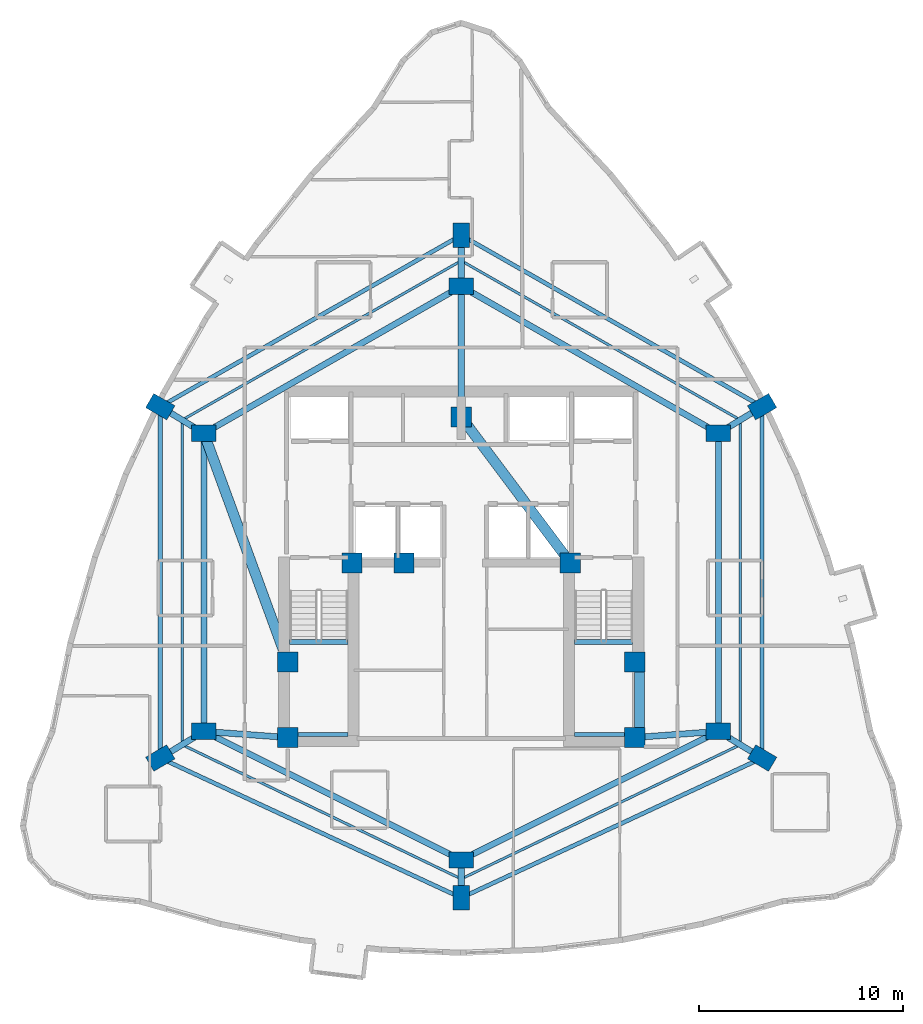
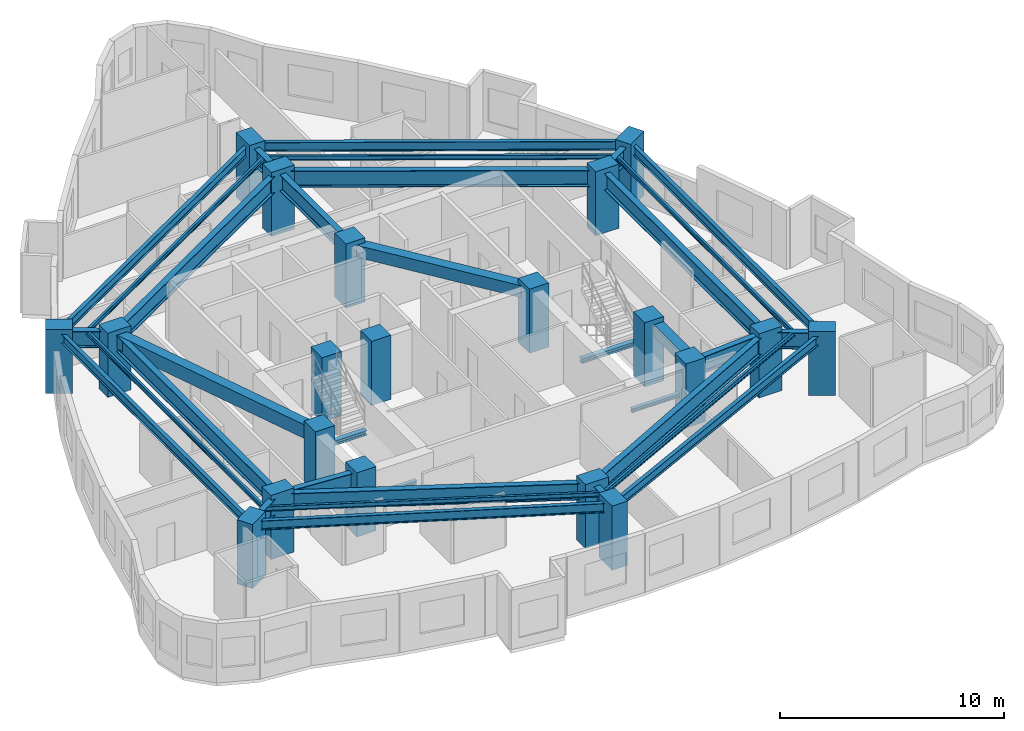
# One storey, part 1 of 11: 34 beams, 20 columns.
"""IFC4 building model written with IfcOpenShell, lengths in metres."""

from ifc_helpers import new_model, si_unit, direction, frame, origin, origin_2d, place, context, subcontext, project, spatial, rectangle, i_section, extrude, material, material_profile, profile_set, type_object, element, save


model = new_model("IFC4")

# Units and contexts
model_context = context("Model", 3, precision=1e-05, world=origin(), true_north=direction((0.0, 1.0)))
body_context = subcontext(model_context, "Body", "Model", "MODEL_VIEW")
ifc_project = project(units=[si_unit("LENGTHUNIT", "METRE"), si_unit("AREAUNIT", "SQUARE_METRE"), si_unit("VOLUMEUNIT", "CUBIC_METRE"), si_unit("PLANEANGLEUNIT", "RADIAN"), si_unit("MASSUNIT", "GRAM", prefix="KILO")], contexts=[model_context])

# Site, building, storey
site_placement = place(None, origin())
site = spatial("IfcSite", under=ifc_project, at=site_placement, CompositionType="ELEMENT")
building_placement = place(site_placement, origin())
building = spatial("IfcBuilding", under=site, at=building_placement, Name="Miruveldt Soraemaru", CompositionType="ELEMENT")
storey_placement = place(building_placement, frame((0.0, 0.0, 149.39990234375)))
storey = spatial("IfcBuildingStorey", under=building, at=storey_placement, Name="L41", CompositionType="ELEMENT", Elevation=149.39990234375)

# Columns
ifc_material_1 = material(Name="Concrete C60/75 (60 MPa)", Category="concrete")
ifc_material_profile_1 = material_profile(ifc_material_1, rectangle(XDim=1.0, YDim=1.0, at=origin_2d()), Name="Concrete C60/75 (60 MPa)", Category="concrete")
ifc_profile_set_1 = profile_set([ifc_material_profile_1], Name="Concrete C60/75 (60 MPa)")
column_type_1 = type_object("IfcColumnType", Name="COL-CORE-1000", PredefinedType="COLUMN", material=ifc_profile_set_1)
for number, where, z_axis, x_axis, name in (
    (1, (35.5, 35.5, 0.0), (0.0, 0.0, 1.0), (1.0, 0.0, 0.0), "L41 Structural Column CC1"),
    (2, (38.64990234375, 44.050048828125, 0.0), (0.0, 0.0, 1.0), (1.0, 0.0, 0.0), "L41 Structural Column CC2"),
    (3, (52.5, 35.5, 0.0), (0.0, 0.0, 1.0), (1.0, 0.0, 0.0), "L41 Structural Column CC3"),
    (4, (52.5, 39.199951171875, 0.0), (0.0, 0.0, 1.0), (1.0, 0.0, 0.0), "L41 Structural Column CC4"),
    (5, (49.35009765625, 44.050048828125, 0.0), (0.0, 0.0, 1.0), (1.0, 0.0, 0.0), "L41 Structural Column CC5"),
    (6, (44.0, 51.199951171875, 0.0), (0.0, 0.0, 1.0), (1.0, 0.0, 0.0), "L41 Structural Column CC6"),
    (7, (35.5, 39.199951171875, 0.0), (0.0, 0.0, 1.0), (1.0, 0.0, 0.0), "L41 Structural Column CC7"),
    (8, (41.199951171875, 44.050048828125, 0.0), (0.0, 0.0, 1.0), (1.0, 0.0, 0.0), "L41 Structural Column CC8"),
):
    element("IfcColumn", number, at=place(storey_placement, frame(where, z_axis=z_axis, x_axis=x_axis)), inside=storey, type_object=column_type_1, Name=name, PredefinedType="COLUMN", context=body_context, shape_type="SweptSolid", body=[
        extrude(rectangle(XDim=1.0, YDim=1.0, at=origin_2d()), origin(), (0.0, 0.0, 1.0), 3.5),
    ])
ifc_material_2 = material(Name="Concrete C70/85 (70 MPa)", Category="concrete")
ifc_material_profile_2 = material_profile(ifc_material_2, rectangle(XDim=1.199951171875, YDim=0.800048828125, at=origin_2d()), Name="Concrete C70/85 (70 MPa)", Category="concrete")
ifc_profile_set_2 = profile_set([ifc_material_profile_2], Name="Concrete C70/85 (70 MPa)")
column_type_2 = type_object("IfcColumnType", Name="COL-TW-Z2", PredefinedType="COLUMN", material=ifc_profile_set_2)
for number, where, z_axis, x_axis, name in (
    (9, (44.0, 57.60009765625, 0.0), (0.0, 0.0, 1.0), (1.0, 0.0, 0.0), "L41 Structural Column IR01"),
    (10, (56.60009765625, 50.39990234375, 0.0), (0.0, 0.0, 1.0), (1.0, 0.0, 0.0), "L41 Structural Column IR02"),
    (11, (56.60009765625, 35.800048828125, 0.0), (0.0, 0.0, 1.0), (1.0, 0.0, 0.0), "L41 Structural Column IR03"),
    (12, (44.0, 29.5, 0.0), (0.0, 0.0, 1.0), (1.0, 0.0, 0.0), "L41 Structural Column IR04"),
    (13, (31.39990234375, 35.800048828125, 0.0), (0.0, 0.0, 1.0), (1.0, 0.0, 0.0), "L41 Structural Column IR05"),
    (14, (31.39990234375, 50.39990234375, 0.0), (0.0, 0.0, 1.0), (1.0, 0.0, 0.0), "L41 Structural Column IR06"),
    (15, (44.0, 60.10595703125, 0.0), (0.0, 0.0, 1.0), (0.0, 1.0, 0.0), "L41 Structural Column Z2P01"),
    (16, (58.739990234375, 51.705078125, 0.0), (0.0, 0.0, 1.0), (0.866025403784, 0.5, 0.0), "L41 Structural Column Z2P02"),
    (17, (58.739990234375, 34.4951171875, 0.0), (0.0, 0.0, 1.0), (-0.860742027004, 0.50904141575, 0.0), "L41 Structural Column Z2P03"),
    (18, (44.0, 27.64697265625, 0.0), (0.0, 0.0, 1.0), (0.0, 1.0, 0.0), "L41 Structural Column Z2P04"),
    (19, (29.260009765625, 34.4951171875, 0.0), (0.0, 0.0, 1.0), (0.860742027004, 0.50904141575, 0.0), "L41 Structural Column Z2P05"),
    (20, (29.260009765625, 51.705078125, 0.0), (0.0, 0.0, 1.0), (-0.866025403784, 0.5, 0.0), "L41 Structural Column Z2P06"),
):
    element("IfcColumn", number, at=place(storey_placement, frame(where, z_axis=z_axis, x_axis=x_axis)), inside=storey, type_object=column_type_2, Name=name, PredefinedType="COLUMN", context=body_context, shape_type="SweptSolid", body=[
        extrude(rectangle(XDim=1.199951171875, YDim=0.800048828125, at=origin_2d()), origin(), (0.0, 0.0, 1.0), 3.5),
    ])

# Beams
ifc_material_3 = material(Name="Concrete C50/60 (50 MPa)", Category="concrete")
ifc_material_profile_3 = material_profile(ifc_material_3, rectangle(XDim=0.5, YDim=0.64990234375, at=origin_2d()), Name="Concrete C50/60 (50 MPa)", Category="concrete")
ifc_profile_set_3 = profile_set([ifc_material_profile_3], Name="Concrete C50/60 (50 MPa)")
beam_type_1 = type_object("IfcBeamType", Name="BM-RC-500x650", PredefinedType="BEAM", material=ifc_profile_set_3)
beam_1_placement = place(storey_placement, frame((52.72998046875, 35.5, 2.91015625), z_axis=(0.0, 1.0, 0.0), x_axis=(-1.0, 0.0, 0.0)))
element("IfcBeam", 21, at=beam_1_placement, inside=storey, type_object=beam_type_1, Name="L41 Core Tie Beam 3", PredefinedType="BEAM", context=body_context, shape_type="SweptSolid", body=[
    extrude(rectangle(XDim=0.5, YDim=0.64990234375, at=origin_2d()), origin(), (0.0, 0.0, 1.0), 3.699951171875),
])
beam_2_placement = place(storey_placement, frame((49.35009765625, 44.050048828125, 2.91015625), z_axis=(-0.599116023999, 0.800662219533, 0.0), x_axis=(-0.800662219533, -0.599116023999, 0.0)))
element("IfcBeam", 22, at=beam_2_placement, inside=storey, type_object=beam_type_1, Name="L41 Core Tie Beam 5", PredefinedType="BEAM", context=body_context, shape_type="SweptSolid", body=[
    extrude(rectangle(XDim=0.5, YDim=0.64990234375, at=origin_2d()), origin(), (0.0, 0.0, 1.0), 8.929931640625),
])
ifc_material_4 = material(Name="Concrete C40/50 (40 MPa)", Category="concrete")
ifc_material_profile_4 = material_profile(ifc_material_4, rectangle(XDim=0.5, YDim=0.75, at=origin_2d()), Name="Concrete C40/50 (40 MPa)", Category="concrete")
ifc_profile_set_4 = profile_set([ifc_material_profile_4], Name="Concrete C40/50 (40 MPa)")
beam_type_2 = type_object("IfcBeamType", Name="BM-RC-500x750", PredefinedType="LINTEL", material=ifc_profile_set_4)
beam_3_placement = place(storey_placement, frame((31.39990234375, 50.39990234375, 2.860107421875), z_axis=(0.343770424598, -0.939053723262, 0.0), x_axis=(0.939053723262, 0.343770424598, 0.0)))
element("IfcBeam", 23, at=beam_3_placement, inside=storey, type_object=beam_type_2, Name="L41 West Lobby Lintel", PredefinedType="LINTEL", context=body_context, shape_type="SweptSolid", body=[
    extrude(rectangle(XDim=0.5, YDim=0.75, at=origin_2d()), origin(), (0.0, 0.0, 1.0), 11.9267578125),
])
ifc_material_5 = material(Name="Steel SM355 (355 MPa)", Category="steel")
ifc_material_profile_5 = material_profile(ifc_material_5, i_section(OverallWidth=0.125, OverallDepth=0.25, WebThickness=0.006103515625, FlangeThickness=0.009033203125, FilletRadius=0.011962890625, at=origin_2d()), Name="Steel SM355 (355 MPa)", Category="steel")
ifc_profile_set_5 = profile_set([ifc_material_profile_5], Name="Steel SM355 (355 MPa)")
beam_type_3 = type_object("IfcBeamType", Name="BM-ST-H250", PredefinedType="JOIST", material=ifc_profile_set_5)
beam_4_placement = place(storey_placement, frame((44.0, 58.85302734375, 3.110107421875), z_axis=(0.868539859756, -0.495619321672, 0.0), x_axis=(0.495619321672, 0.868539859756, 0.0)))
element("IfcBeam", 24, at=beam_4_placement, inside=storey, type_object=beam_type_3, Name="L41 Outer Bay Floor Joist 1", PredefinedType="JOIST", context=body_context, shape_type="SweptSolid", body=[
    extrude(i_section(OverallWidth=0.125, OverallDepth=0.25, WebThickness=0.006103515625, FlangeThickness=0.009033203125, FilletRadius=0.011962890625, at=origin_2d()), origin(), (0.0, 0.0, 1.0), 15.739013671875),
])
beam_5_placement = place(storey_placement, frame((57.669921875, 51.052490234375, 3.110107421875), z_axis=(0.0, -1.0, 0.0), x_axis=(1.0, 0.0, 0.0)))
element("IfcBeam", 25, at=beam_5_placement, inside=storey, type_object=beam_type_3, Name="L41 Outer Bay Floor Joist 2", PredefinedType="JOIST", context=body_context, shape_type="SweptSolid", body=[
    extrude(i_section(OverallWidth=0.125, OverallDepth=0.25, WebThickness=0.006103515625, FlangeThickness=0.009033203125, FilletRadius=0.011962890625, at=origin_2d()), origin(), (0.0, 0.0, 1.0), 15.905029296875),
])
for number, where, z_axis, x_axis, name in (
    (26, (57.669921875, 35.1474609375, 3.110107421875), (-0.901203586802, -0.433396002676, 0.0), (0.433396002676, -0.901203586802, 0.0), "L41 Outer Bay Floor Joist 3"),
    (27, (44.0, 28.573486328125, 3.110107421875), (-0.901203586802, 0.433396002676, 0.0), (-0.433396002676, -0.901203586802, 0.0), "L41 Outer Bay Floor Joist 4"),
):
    element("IfcBeam", number, at=place(storey_placement, frame(where, z_axis=z_axis, x_axis=x_axis)), inside=storey, type_object=beam_type_3, Name=name, PredefinedType="JOIST", context=body_context, shape_type="SweptSolid", body=[
        extrude(i_section(OverallWidth=0.125, OverallDepth=0.25, WebThickness=0.006103515625, FlangeThickness=0.009033203125, FilletRadius=0.011962890625, at=origin_2d()), origin(), (0.0, 0.0, 1.0), 15.16845703125),
    ])
beam_6_placement = place(storey_placement, frame((30.330078125, 35.1474609375, 3.110107421875), z_axis=(0.0, 1.0, 0.0), x_axis=(-1.0, 0.0, 0.0)))
element("IfcBeam", 28, at=beam_6_placement, inside=storey, type_object=beam_type_3, Name="L41 Outer Bay Floor Joist 5", PredefinedType="JOIST", context=body_context, shape_type="SweptSolid", body=[
    extrude(i_section(OverallWidth=0.125, OverallDepth=0.25, WebThickness=0.006103515625, FlangeThickness=0.009033203125, FilletRadius=0.011962890625, at=origin_2d()), origin(), (0.0, 0.0, 1.0), 15.905029296875),
])
beam_7_placement = place(storey_placement, frame((30.330078125, 51.052490234375, 3.110107421875), z_axis=(0.868539859756, 0.495619321672, 0.0), x_axis=(-0.495619321672, 0.868539859756, 0.0)))
element("IfcBeam", 29, at=beam_7_placement, inside=storey, type_object=beam_type_3, Name="L41 Outer Bay Floor Joist 6", PredefinedType="JOIST", context=body_context, shape_type="SweptSolid", body=[
    extrude(i_section(OverallWidth=0.125, OverallDepth=0.25, WebThickness=0.006103515625, FlangeThickness=0.009033203125, FilletRadius=0.011962890625, at=origin_2d()), origin(), (0.0, 0.0, 1.0), 15.739013671875),
])
ifc_material_profile_6 = material_profile(ifc_material_5, i_section(OverallWidth=0.199951171875, OverallDepth=0.5, WebThickness=0.010009765625, FlangeThickness=0.01611328125, FilletRadius=0.02001953125, at=origin_2d()), Name="Steel SM355 (355 MPa)", Category="steel")
ifc_profile_set_6 = profile_set([ifc_material_profile_6], Name="Steel SM355 (355 MPa)")
beam_type_4 = type_object("IfcBeamType", Name="BM-ST-H500", PredefinedType="SPANDREL", material=ifc_profile_set_6)
beam_8_placement = place(storey_placement, frame((44.0, 60.10595703125, 2.985107421875), z_axis=(0.86880048516, -0.495162313778, 0.0), x_axis=(0.495162313778, 0.86880048516, 0.0)))
element("IfcBeam", 30, at=beam_8_placement, inside=storey, type_object=beam_type_4, Name="L41 Zone-2 Spandrel Beam 1", PredefinedType="SPANDREL", context=body_context, shape_type="SweptSolid", body=[
    extrude(i_section(OverallWidth=0.199951171875, OverallDepth=0.5, WebThickness=0.010009765625, FlangeThickness=0.01611328125, FilletRadius=0.02001953125, at=origin_2d()), origin(), (0.0, 0.0, 1.0), 16.9658203125),
])
beam_9_placement = place(storey_placement, frame((58.739990234375, 51.705078125, 2.985107421875), z_axis=(0.0, -1.0, 0.0), x_axis=(1.0, 0.0, 0.0)))
element("IfcBeam", 31, at=beam_9_placement, inside=storey, type_object=beam_type_4, Name="L41 Zone-2 Spandrel Beam 2", PredefinedType="SPANDREL", context=body_context, shape_type="SweptSolid", body=[
    extrude(i_section(OverallWidth=0.199951171875, OverallDepth=0.5, WebThickness=0.010009765625, FlangeThickness=0.01611328125, FilletRadius=0.02001953125, at=origin_2d()), origin(), (0.0, 0.0, 1.0), 17.2099609375),
])
for number, where, z_axis, x_axis, name in (
    (32, (58.739990234375, 34.4951171875, 2.985107421875), (-0.906901362829, -0.421342993414, 0.0), (0.421342993414, -0.906901362829, 0.0), "L41 Zone-2 Spandrel Beam 3"),
    (33, (44.0, 27.64697265625, 2.985107421875), (-0.906901362829, 0.421342993414, 0.0), (-0.421342993414, -0.906901362829, 0.0), "L41 Zone-2 Spandrel Beam 4"),
):
    element("IfcBeam", number, at=place(storey_placement, frame(where, z_axis=z_axis, x_axis=x_axis)), inside=storey, type_object=beam_type_4, Name=name, PredefinedType="SPANDREL", context=body_context, shape_type="SweptSolid", body=[
        extrude(i_section(OverallWidth=0.199951171875, OverallDepth=0.5, WebThickness=0.010009765625, FlangeThickness=0.01611328125, FilletRadius=0.02001953125, at=origin_2d()), origin(), (0.0, 0.0, 1.0), 16.253173828125),
    ])
beam_10_placement = place(storey_placement, frame((29.260009765625, 34.4951171875, 2.985107421875), z_axis=(0.0, 1.0, 0.0), x_axis=(-1.0, 0.0, 0.0)))
element("IfcBeam", 34, at=beam_10_placement, inside=storey, type_object=beam_type_4, Name="L41 Zone-2 Spandrel Beam 5", PredefinedType="SPANDREL", context=body_context, shape_type="SweptSolid", body=[
    extrude(i_section(OverallWidth=0.199951171875, OverallDepth=0.5, WebThickness=0.010009765625, FlangeThickness=0.01611328125, FilletRadius=0.02001953125, at=origin_2d()), origin(), (0.0, 0.0, 1.0), 17.2099609375),
])
beam_11_placement = place(storey_placement, frame((29.260009765625, 51.705078125, 2.985107421875), z_axis=(0.86880048516, 0.495162313778, 0.0), x_axis=(-0.495162313778, 0.86880048516, 0.0)))
element("IfcBeam", 35, at=beam_11_placement, inside=storey, type_object=beam_type_4, Name="L41 Zone-2 Spandrel Beam 6", PredefinedType="SPANDREL", context=body_context, shape_type="SweptSolid", body=[
    extrude(i_section(OverallWidth=0.199951171875, OverallDepth=0.5, WebThickness=0.010009765625, FlangeThickness=0.01611328125, FilletRadius=0.02001953125, at=origin_2d()), origin(), (0.0, 0.0, 1.0), 16.9658203125),
])
ifc_material_6 = material(Name="Steel S460 (460 MPa)", Category="steel")
ifc_material_profile_7 = material_profile(ifc_material_6, i_section(OverallWidth=0.300048828125, OverallDepth=0.89990234375, WebThickness=0.01611328125, FlangeThickness=0.028076171875, FilletRadius=0.028076171875, at=origin_2d()), Name="Steel S460 (460 MPa)", Category="steel")
ifc_profile_set_7 = profile_set([ifc_material_profile_7], Name="Steel S460 (460 MPa)")
beam_type_5 = type_object("IfcBeamType", Name="BM-ST-H900", PredefinedType="BEAM", material=ifc_profile_set_7)
beam_12_placement = place(storey_placement, frame((44.0, 57.60009765625, 2.78515625), z_axis=(0.868239001029, -0.496146185203, 0.0), x_axis=(0.496146185203, 0.868239001029, 0.0)))
element("IfcBeam", 36, at=beam_12_placement, inside=storey, type_object=beam_type_5, Name="L41 Inner Ring Girder 1", PredefinedType="BEAM", context=body_context, shape_type="SweptSolid", body=[
    extrude(i_section(OverallWidth=0.300048828125, OverallDepth=0.89990234375, WebThickness=0.01611328125, FlangeThickness=0.028076171875, FilletRadius=0.028076171875, at=origin_2d()), origin(), (0.0, 0.0, 1.0), 14.51220703125),
])
beam_13_placement = place(storey_placement, frame((44.0, 51.199951171875, 2.78515625), z_axis=(0.0, 1.0, 0.0), x_axis=(-1.0, 0.0, 0.0)))
element("IfcBeam", 37, at=beam_13_placement, inside=storey, type_object=beam_type_5, Name="L41 Core-to-Inner Radial Girder 1", PredefinedType="BEAM", context=body_context, shape_type="SweptSolid", body=[
    extrude(i_section(OverallWidth=0.300048828125, OverallDepth=0.89990234375, WebThickness=0.01611328125, FlangeThickness=0.028076171875, FilletRadius=0.028076171875, at=origin_2d()), origin(), (0.0, 0.0, 1.0), 6.400146484375),
])
beam_14_placement = place(storey_placement, frame((56.60009765625, 50.39990234375, 2.78515625), z_axis=(0.0, -1.0, 0.0), x_axis=(1.0, 0.0, 0.0)))
element("IfcBeam", 38, at=beam_14_placement, inside=storey, type_object=beam_type_5, Name="L41 Inner Ring Girder 2", PredefinedType="BEAM", context=body_context, shape_type="SweptSolid", body=[
    extrude(i_section(OverallWidth=0.300048828125, OverallDepth=0.89990234375, WebThickness=0.01611328125, FlangeThickness=0.028076171875, FilletRadius=0.028076171875, at=origin_2d()), origin(), (0.0, 0.0, 1.0), 14.599853515625),
])
beam_15_placement = place(storey_placement, frame((56.60009765625, 35.800048828125, 2.78515625), z_axis=(-0.894427191, -0.4472135955, 0.0), x_axis=(0.4472135955, -0.894427191, 0.0)))
element("IfcBeam", 39, at=beam_15_placement, inside=storey, type_object=beam_type_5, Name="L41 Inner Ring Girder 3", PredefinedType="BEAM", context=body_context, shape_type="SweptSolid", body=[
    extrude(i_section(OverallWidth=0.300048828125, OverallDepth=0.89990234375, WebThickness=0.01611328125, FlangeThickness=0.028076171875, FilletRadius=0.028076171875, at=origin_2d()), origin(), (0.0, 0.0, 1.0), 14.08740234375),
])
beam_16_placement = place(storey_placement, frame((52.5, 35.5, 2.78515625), z_axis=(0.997332985605, 0.072985723431, 0.0), x_axis=(-0.072985723431, 0.997332985605, 0.0)))
element("IfcBeam", 40, at=beam_16_placement, inside=storey, type_object=beam_type_5, Name="L41 Core-to-Inner Radial Girder 3", PredefinedType="BEAM", context=body_context, shape_type="SweptSolid", body=[
    extrude(i_section(OverallWidth=0.300048828125, OverallDepth=0.89990234375, WebThickness=0.01611328125, FlangeThickness=0.028076171875, FilletRadius=0.028076171875, at=origin_2d()), origin(), (0.0, 0.0, 1.0), 4.111083984375),
])
beam_17_placement = place(storey_placement, frame((44.0, 29.5, 2.78515625), z_axis=(-0.894427191, 0.4472135955, 0.0), x_axis=(-0.4472135955, -0.894427191, 0.0)))
element("IfcBeam", 41, at=beam_17_placement, inside=storey, type_object=beam_type_5, Name="L41 Inner Ring Girder 4", PredefinedType="BEAM", context=body_context, shape_type="SweptSolid", body=[
    extrude(i_section(OverallWidth=0.300048828125, OverallDepth=0.89990234375, WebThickness=0.01611328125, FlangeThickness=0.028076171875, FilletRadius=0.028076171875, at=origin_2d()), origin(), (0.0, 0.0, 1.0), 14.08740234375),
])
beam_18_placement = place(storey_placement, frame((31.39990234375, 35.800048828125, 2.78515625), z_axis=(0.0, 1.0, 0.0), x_axis=(-1.0, 0.0, 0.0)))
element("IfcBeam", 42, at=beam_18_placement, inside=storey, type_object=beam_type_5, Name="L41 Inner Ring Girder 5", PredefinedType="BEAM", context=body_context, shape_type="SweptSolid", body=[
    extrude(i_section(OverallWidth=0.300048828125, OverallDepth=0.89990234375, WebThickness=0.01611328125, FlangeThickness=0.028076171875, FilletRadius=0.028076171875, at=origin_2d()), origin(), (0.0, 0.0, 1.0), 14.599853515625),
])
beam_19_placement = place(storey_placement, frame((35.5, 35.5, 2.78515625), z_axis=(-0.997332985605, 0.072985723431, 0.0), x_axis=(-0.072985723431, -0.997332985605, 0.0)))
element("IfcBeam", 43, at=beam_19_placement, inside=storey, type_object=beam_type_5, Name="L41 Core-to-Inner Radial Girder 5", PredefinedType="BEAM", context=body_context, shape_type="SweptSolid", body=[
    extrude(i_section(OverallWidth=0.300048828125, OverallDepth=0.89990234375, WebThickness=0.01611328125, FlangeThickness=0.028076171875, FilletRadius=0.028076171875, at=origin_2d()), origin(), (0.0, 0.0, 1.0), 4.111083984375),
])
beam_20_placement = place(storey_placement, frame((31.39990234375, 50.39990234375, 2.78515625), z_axis=(0.868239001029, 0.496146185203, 0.0), x_axis=(-0.496146185203, 0.868239001029, 0.0)))
element("IfcBeam", 44, at=beam_20_placement, inside=storey, type_object=beam_type_5, Name="L41 Inner Ring Girder 6", PredefinedType="BEAM", context=body_context, shape_type="SweptSolid", body=[
    extrude(i_section(OverallWidth=0.300048828125, OverallDepth=0.89990234375, WebThickness=0.01611328125, FlangeThickness=0.028076171875, FilletRadius=0.028076171875, at=origin_2d()), origin(), (0.0, 0.0, 1.0), 14.51220703125),
])
beam_21_placement = place(storey_placement, frame((44.0, 57.60009765625, 2.78515625), z_axis=(0.0, 1.0, 0.0), x_axis=(-1.0, 0.0, 0.0)))
element("IfcBeam", 45, at=beam_21_placement, inside=storey, type_object=beam_type_5, Name="L41 Zone-2 Radial Girder 1", PredefinedType="BEAM", context=body_context, shape_type="SweptSolid", body=[
    extrude(i_section(OverallWidth=0.300048828125, OverallDepth=0.89990234375, WebThickness=0.01611328125, FlangeThickness=0.028076171875, FilletRadius=0.028076171875, at=origin_2d()), origin(), (0.0, 0.0, 1.0), 2.505859375),
])
beam_22_placement = place(storey_placement, frame((56.60009765625, 50.39990234375, 2.78515625), z_axis=(0.85373175529, 0.520713059188, 0.0), x_axis=(-0.520713059188, 0.85373175529, 0.0)))
element("IfcBeam", 46, at=beam_22_placement, inside=storey, type_object=beam_type_5, Name="L41 Zone-2 Radial Girder 2", PredefinedType="BEAM", context=body_context, shape_type="SweptSolid", body=[
    extrude(i_section(OverallWidth=0.300048828125, OverallDepth=0.89990234375, WebThickness=0.01611328125, FlangeThickness=0.028076171875, FilletRadius=0.028076171875, at=origin_2d()), origin(), (0.0, 0.0, 1.0), 2.506591796875),
])
beam_23_placement = place(storey_placement, frame((56.60009765625, 35.800048828125, 2.78515625), z_axis=(0.853775054686, -0.5206420613, 0.0), x_axis=(0.5206420613, 0.853775054686, 0.0)))
element("IfcBeam", 47, at=beam_23_placement, inside=storey, type_object=beam_type_5, Name="L41 Zone-2 Radial Girder 3", PredefinedType="BEAM", context=body_context, shape_type="SweptSolid", body=[
    extrude(i_section(OverallWidth=0.300048828125, OverallDepth=0.89990234375, WebThickness=0.01611328125, FlangeThickness=0.028076171875, FilletRadius=0.028076171875, at=origin_2d()), origin(), (0.0, 0.0, 1.0), 2.50634765625),
])
beam_24_placement = place(storey_placement, frame((44.0, 29.5, 2.78515625), z_axis=(0.0, -1.0, 0.0), x_axis=(1.0, 0.0, 0.0)))
element("IfcBeam", 48, at=beam_24_placement, inside=storey, type_object=beam_type_5, Name="L41 Zone-2 Radial Girder 4", PredefinedType="BEAM", context=body_context, shape_type="SweptSolid", body=[
    extrude(i_section(OverallWidth=0.300048828125, OverallDepth=0.89990234375, WebThickness=0.01611328125, FlangeThickness=0.028076171875, FilletRadius=0.028076171875, at=origin_2d()), origin(), (0.0, 0.0, 1.0), 1.85302734375),
])
beam_25_placement = place(storey_placement, frame((31.39990234375, 35.800048828125, 2.78515625), z_axis=(-0.853775054686, -0.5206420613, 0.0), x_axis=(0.5206420613, -0.853775054686, 0.0)))
element("IfcBeam", 49, at=beam_25_placement, inside=storey, type_object=beam_type_5, Name="L41 Zone-2 Radial Girder 5", PredefinedType="BEAM", context=body_context, shape_type="SweptSolid", body=[
    extrude(i_section(OverallWidth=0.300048828125, OverallDepth=0.89990234375, WebThickness=0.01611328125, FlangeThickness=0.028076171875, FilletRadius=0.028076171875, at=origin_2d()), origin(), (0.0, 0.0, 1.0), 2.50634765625),
])
beam_26_placement = place(storey_placement, frame((31.39990234375, 50.39990234375, 2.78515625), z_axis=(-0.85373175529, 0.520713059188, 0.0), x_axis=(-0.520713059188, -0.85373175529, 0.0)))
element("IfcBeam", 50, at=beam_26_placement, inside=storey, type_object=beam_type_5, Name="L41 Zone-2 Radial Girder 6", PredefinedType="BEAM", context=body_context, shape_type="SweptSolid", body=[
    extrude(i_section(OverallWidth=0.300048828125, OverallDepth=0.89990234375, WebThickness=0.01611328125, FlangeThickness=0.028076171875, FilletRadius=0.028076171875, at=origin_2d()), origin(), (0.0, 0.0, 1.0), 2.506591796875),
])
ifc_material_profile_8 = material_profile(ifc_material_5, i_section(OverallWidth=0.199951171875, OverallDepth=0.199951171875, WebThickness=0.008056640625, FlangeThickness=0.011962890625, FilletRadius=0.012939453125, at=origin_2d()), Name="Steel SM355 (355 MPa)", Category="steel")
ifc_profile_set_8 = profile_set([ifc_material_profile_8], Name="Steel SM355 (355 MPa)")
beam_type_6 = type_object("IfcBeamType", Name="BM-ST-LND200", PredefinedType="BEAM", material=ifc_profile_set_8)
for number, where, z_axis, x_axis, name in (
    (51, (35.60009765625, 35.64990234375, 1.4501953125), (1.0, 0.0, 0.0), (0.0, 1.0, 0.0), "L41 ST1 Landing End Beam 1B"),
    (52, (49.550048828125, 35.64990234375, 1.4501953125), (1.0, 0.0, 0.0), (0.0, 1.0, 0.0), "L41 ST2 Landing End Beam 1B"),
):
    element("IfcBeam", number, at=place(storey_placement, frame(where, z_axis=z_axis, x_axis=x_axis)), inside=storey, type_object=beam_type_6, Name=name, PredefinedType="BEAM", context=body_context, shape_type="SweptSolid", body=[
        extrude(i_section(OverallWidth=0.199951171875, OverallDepth=0.199951171875, WebThickness=0.008056640625, FlangeThickness=0.011962890625, FilletRadius=0.012939453125, at=origin_2d()), origin(), (0.0, 0.0, 1.0), 2.849853515625),
    ])
ifc_material_profile_9 = material_profile(ifc_material_5, i_section(OverallWidth=0.25, OverallDepth=0.25, WebThickness=0.009033203125, FlangeThickness=0.013916015625, FilletRadius=0.01611328125, at=origin_2d()), Name="Steel SM355 (355 MPa)", Category="steel")
ifc_profile_set_9 = profile_set([ifc_material_profile_9], Name="Steel SM355 (355 MPa)")
beam_type_7 = type_object("IfcBeamType", Name="BM-ST-LND250", PredefinedType="BEAM", material=ifc_profile_set_9)
for number, where, z_axis, x_axis, name in (
    (53, (35.60009765625, 40.179931640625, 1.425048828125), (1.0, 0.0, 0.0), (0.0, 1.0, 0.0), "L41 ST1 Landing Support Beam 1A"),
    (54, (49.550048828125, 40.179931640625, 1.425048828125), (1.0, 0.0, 0.0), (0.0, 1.0, 0.0), "L41 ST2 Landing Support Beam 1A"),
):
    element("IfcBeam", number, at=place(storey_placement, frame(where, z_axis=z_axis, x_axis=x_axis)), inside=storey, type_object=beam_type_7, Name=name, PredefinedType="BEAM", context=body_context, shape_type="SweptSolid", body=[
        extrude(i_section(OverallWidth=0.25, OverallDepth=0.25, WebThickness=0.009033203125, FlangeThickness=0.013916015625, FilletRadius=0.01611328125, at=origin_2d()), origin(), (0.0, 0.0, 1.0), 2.849853515625),
    ])

save(model, "model.ifc")
